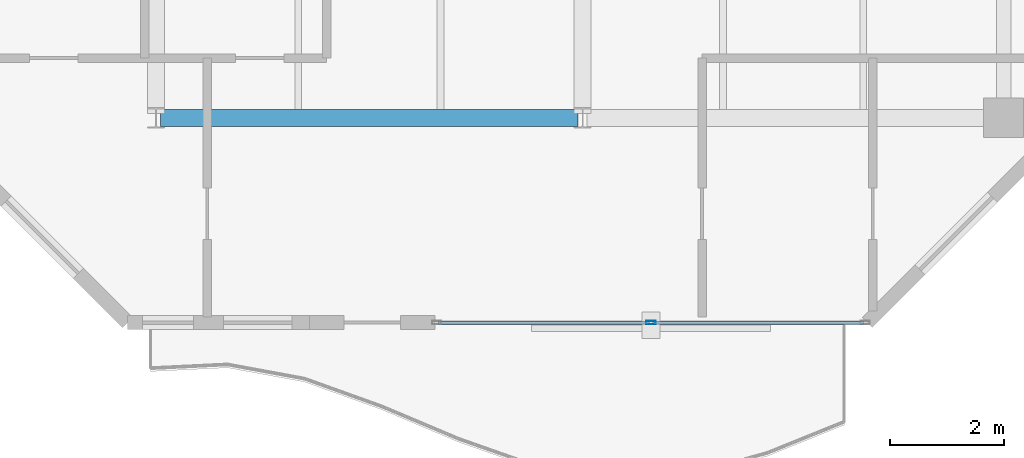
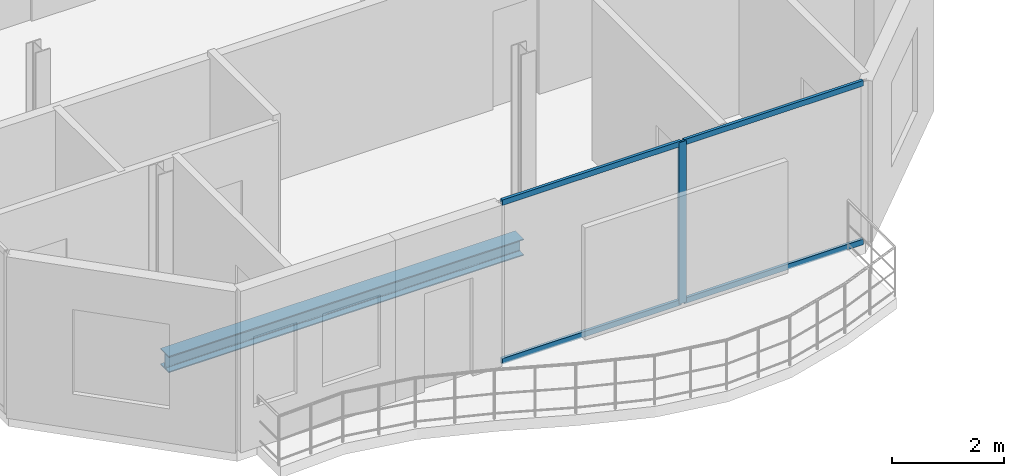
# One storey, part 4 of 23: 5 members, 1 beam, 1 element without a shape of its own.
"""IFC4 building model written with IfcOpenShell, lengths in metres."""

from ifc_helpers import new_model, si_unit, direction, frame, origin, origin_2d, place, context, subcontext, project, spatial, hollow_rectangle, i_section, extrude, material, layer, layer_set, material_profile, profile_set, type_object, element, aggregate, save


model = new_model("IFC4")

# Units and contexts
model_context = context("Model", 3, precision=1e-05, world=origin(), true_north=direction((0.0, 1.0)))
body_context = subcontext(model_context, "Body", "Model", "MODEL_VIEW")
ifc_project = project(units=[si_unit("LENGTHUNIT", "METRE"), si_unit("AREAUNIT", "SQUARE_METRE"), si_unit("VOLUMEUNIT", "CUBIC_METRE"), si_unit("PLANEANGLEUNIT", "RADIAN"), si_unit("MASSUNIT", "GRAM", prefix="KILO")], contexts=[model_context])

# Site, building, storey
site_placement = place(None, origin())
site = spatial("IfcSite", under=ifc_project, at=site_placement, CompositionType="ELEMENT")
building_placement = place(site_placement, origin())
building = spatial("IfcBuilding", under=site, at=building_placement, Name="Catumbela Crestline Tower", CompositionType="ELEMENT")
storey_placement = place(building_placement, frame((0.0, 0.0, 252.6)))
storey = spatial("IfcBuildingStorey", under=building, at=storey_placement, Name="L65", CompositionType="ELEMENT", Elevation=252.6)

# Beam
ifc_material_1 = material(Name="Structural steel S355J2", Category="steel")
ifc_material_profile_1 = material_profile(ifc_material_1, i_section(OverallWidth=0.3, OverallDepth=0.36, WebThickness=0.0125, FlangeThickness=0.0225, FilletRadius=0.027, at=origin_2d()), Name="HEB 360")
ifc_profile_set_1 = profile_set([ifc_material_profile_1], Name="Structural steel S355J2")
beam_type = type_object("IfcBeamType", Name="BG-HEB360", PredefinedType="BEAM", material=ifc_profile_set_1)
beam_placement = place(storey_placement, frame((8.58, 13.6, -0.44), z_axis=(1.0, 0.0, 0.0), x_axis=(0.0, 1.0, 0.0)))
element("IfcBeam", 1, at=beam_placement, inside=storey, type_object=beam_type, Name="L65 Beam BM-L65-WEW27", PredefinedType="BEAM", context=body_context, shape_type="SweptSolid", body=[
    extrude(i_section(OverallWidth=0.3, OverallDepth=0.36, WebThickness=0.0125, FlangeThickness=0.0225, FilletRadius=0.027, at=origin_2d()), origin(), (0.0, 0.0, 1.0), 7.34),
])

# Curtain wall, members
ifc_material_2 = material(Name="Aluminium alloy AW-6060-T66", Category="aluminium")
ifc_layer = layer(ifc_material_2, 0.18, Name="Aluminium alloy AW-6060-T66")
ifc_layer_set = layer_set([ifc_layer], Name="Aluminium alloy AW-6060-T66")
curtain_wall_type = type_object("IfcCurtainWallType", Name="CWU-Z4", PredefinedType="USERDEFINED", material=ifc_layer_set)
curtain_wall_placement = place(storey_placement, origin())
curtain_wall = element("IfcCurtainWall", 2, at=curtain_wall_placement, inside=storey, type_object=curtain_wall_type, Name="L65 Unitised Curtain Wall CW-L65-E0S2", ObjectType="UNITISED", PredefinedType="USERDEFINED")
ifc_material_profile_2 = material_profile(ifc_material_2, hollow_rectangle(XDim=0.06, YDim=0.16, WallThickness=0.004, at=origin_2d()), Name="ALU 160x60x4")
ifc_profile_set_2 = profile_set([ifc_material_profile_2], Name="Aluminium alloy AW-6060-T66")
member_type_1 = type_object("IfcMemberType", Name="MUL-160X60", PredefinedType="MULLION", material=ifc_profile_set_2)
member_1_placement = place(storey_placement, frame((17.2, 10.0, 0.0), z_axis=(0.0, 0.0, 1.0), x_axis=(0.0, 1.0, 0.0)))
member_1 = element("IfcMember", 3, at=member_1_placement, type_object=member_type_1, Name="CWU-Z4 mullion 2", PredefinedType="MULLION", context=body_context, shape_type="SweptSolid", body=[
    extrude(hollow_rectangle(XDim=0.06, YDim=0.16, WallThickness=0.004, at=origin_2d()), origin(), (0.0, 0.0, 1.0), 3.53),
])
ifc_material_profile_3 = material_profile(ifc_material_2, hollow_rectangle(XDim=0.06, YDim=0.12, WallThickness=0.0035, at=origin_2d()), Name="ALU 120x60x3.5")
ifc_profile_set_3 = profile_set([ifc_material_profile_3], Name="Aluminium alloy AW-6060-T66")
member_type_2 = type_object("IfcMemberType", Name="TRN-120X60", PredefinedType="USERDEFINED", material=ifc_profile_set_3)
member_2_placement = place(storey_placement, frame((13.465, 10.0, 0.03), z_axis=(1.0, 0.0, 0.0), x_axis=(0.0, 1.0, 0.0)))
member_2 = element("IfcMember", 4, at=member_2_placement, type_object=member_type_2, Name="CWU-Z4 transom 1.1", ObjectType="TRANSOM", PredefinedType="USERDEFINED", context=body_context, shape_type="SweptSolid", body=[
    extrude(hollow_rectangle(XDim=0.06, YDim=0.12, WallThickness=0.0035, at=origin_2d()), origin(), (0.0, 0.0, 1.0), 3.7025),
])
member_3_placement = place(storey_placement, frame((13.465, 10.0, 3.5), z_axis=(1.0, 0.0, 0.0), x_axis=(0.0, 1.0, 0.0)))
member_3 = element("IfcMember", 5, at=member_3_placement, type_object=member_type_2, Name="CWU-Z4 transom 1.2", ObjectType="TRANSOM", PredefinedType="USERDEFINED", context=body_context, shape_type="SweptSolid", body=[
    extrude(hollow_rectangle(XDim=0.06, YDim=0.12, WallThickness=0.0035, at=origin_2d()), origin(), (0.0, 0.0, 1.0), 3.7025),
])
member_4_placement = place(storey_placement, frame((17.2325, 10.0, 0.03), z_axis=(1.0, 0.0, 0.0), x_axis=(0.0, 1.0, 0.0)))
member_4 = element("IfcMember", 6, at=member_4_placement, type_object=member_type_2, Name="CWU-Z4 transom 2.1", ObjectType="TRANSOM", PredefinedType="USERDEFINED", context=body_context, shape_type="SweptSolid", body=[
    extrude(hollow_rectangle(XDim=0.06, YDim=0.12, WallThickness=0.0035, at=origin_2d()), origin(), (0.0, 0.0, 1.0), 3.7025),
])
member_5_placement = place(storey_placement, frame((17.2325, 10.0, 3.5), z_axis=(1.0, 0.0, 0.0), x_axis=(0.0, 1.0, 0.0)))
member_5 = element("IfcMember", 7, at=member_5_placement, type_object=member_type_2, Name="CWU-Z4 transom 2.2", ObjectType="TRANSOM", PredefinedType="USERDEFINED", context=body_context, shape_type="SweptSolid", body=[
    extrude(hollow_rectangle(XDim=0.06, YDim=0.12, WallThickness=0.0035, at=origin_2d()), origin(), (0.0, 0.0, 1.0), 3.7025),
])
aggregate(curtain_wall, [member_1, member_2, member_3, member_4, member_5])

save(model, "model.ifc")
